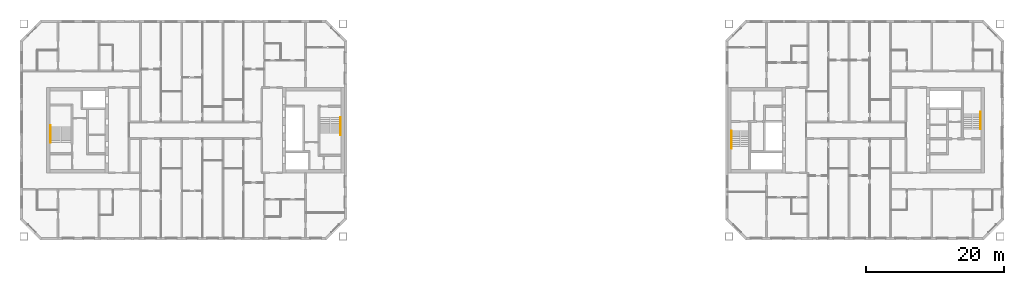
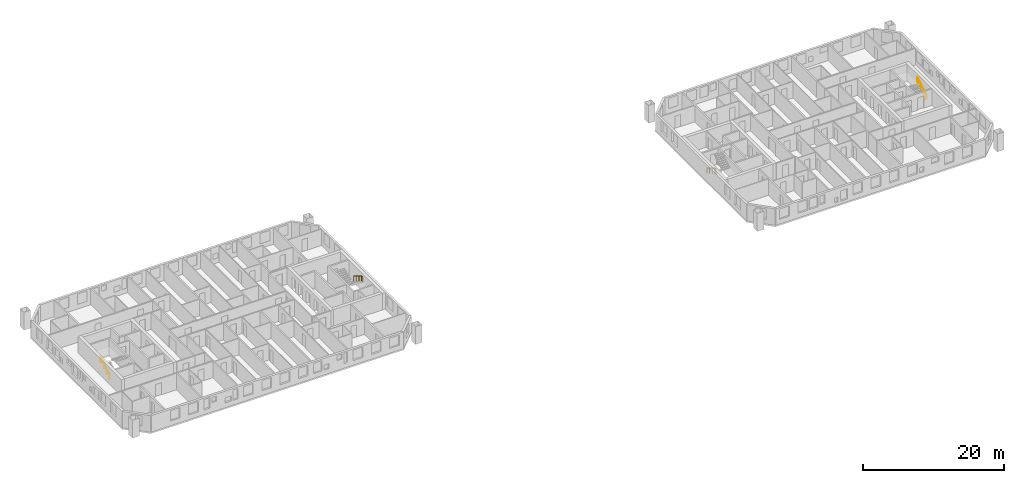
# One storey, part 16 of 16: 4 railings.
"""IFC4 building model written with IfcOpenShell, lengths in metres."""

from ifc_helpers import new_model, si_unit, direction, frame, origin, origin_2d, place, context, subcontext, project, spatial, circle, extrude, material, type_object, element, save


model = new_model("IFC4")

# Units and contexts
model_context = context("Model", 3, precision=1e-05, world=origin(), true_north=direction((0.0, 1.0)))
body_context = subcontext(model_context, "Body", "Model", "MODEL_VIEW")
ifc_project = project(units=[si_unit("LENGTHUNIT", "METRE"), si_unit("AREAUNIT", "SQUARE_METRE"), si_unit("VOLUMEUNIT", "CUBIC_METRE"), si_unit("PLANEANGLEUNIT", "RADIAN"), si_unit("MASSUNIT", "GRAM", prefix="KILO")], contexts=[model_context])

# Site, building, storey
site_placement = place(None, origin())
site = spatial("IfcSite", under=ifc_project, at=site_placement, CompositionType="ELEMENT")
building_placement = place(site_placement, origin())
building = spatial("IfcBuilding", under=site, at=building_placement, Name="Tuart Gate Housing", CompositionType="ELEMENT")
storey_placement = place(building_placement, frame((0.0, 0.0, 157.800048828125)))
storey = spatial("IfcBuildingStorey", under=building, at=storey_placement, Name="L44", CompositionType="ELEMENT", Elevation=157.800048828125)

# Railings
ifc_material = material(Name="Stainless steel", Category="steel")
railing_type = type_object("IfcRailingType", Name="Stair handrail 900", PredefinedType="HANDRAIL", material=ifc_material)
railing_1_placement = place(storey_placement, frame((75.080078125, 71.824951171875, 0.172119140625)))
element("IfcRailing", 1, at=railing_1_placement, inside=storey, type_object=railing_type, Name="Stair handrail SA1.1", PredefinedType="HANDRAIL", context=body_context, shape_type="SweptSolid", body=[
    extrude(circle(Radius=0.02392578125, at=origin_2d()), frame((0.0, 0.0, 0.8759765625), z_axis=(0.0, -0.851747552033, 0.523952390591), x_axis=(1.0, 0.0, 0.0)), (0.0, 0.0, 1.0), 2.6298828125),
    extrude(circle(Radius=0.02392578125, at=origin_2d()), frame((0.0, -2.239990234375, 2.25390625), z_axis=(0.0, -1.0, 0.0), x_axis=(1.0, 0.0, 0.0)), (0.0, 0.0, 1.0), 0.300048828125),
    extrude(circle(Radius=0.02099609375, at=origin_2d()), origin(), (0.0, 0.0, 1.0), 0.851806640625),
    extrude(circle(Radius=0.02099609375, at=origin_2d()), frame((0.0, -0.74658203125, 0.459228515625)), (0.0, 0.0, 1.0), 0.851806640625),
    extrude(circle(Radius=0.02099609375, at=origin_2d()), frame((0.0, -1.493408203125, 0.918701171875)), (0.0, 0.0, 1.0), 0.851806640625),
    extrude(circle(Radius=0.02099609375, at=origin_2d()), frame((0.0, -2.239990234375, 1.3779296875)), (0.0, 0.0, 1.0), 0.851806640625),
    extrude(circle(Radius=0.02099609375, at=origin_2d()), frame((0.0, -2.5400390625, 1.3779296875)), (0.0, 0.0, 1.0), 0.851806640625),
])
railing_2_placement = place(storey_placement, frame((32.919921875, 68.175048828125, 0.172119140625)))
element("IfcRailing", 2, at=railing_2_placement, inside=storey, type_object=railing_type, Name="Stair handrail SA2.1", PredefinedType="HANDRAIL", context=body_context, shape_type="SweptSolid", body=[
    extrude(circle(Radius=0.02392578125, at=origin_2d()), frame((0.0, 0.0, 0.8759765625), z_axis=(0.0, 0.851747552033, 0.523952390591), x_axis=(-1.0, 0.0, 0.0)), (0.0, 0.0, 1.0), 2.6298828125),
    extrude(circle(Radius=0.02392578125, at=origin_2d()), frame((0.0, 2.239990234375, 2.25390625), z_axis=(0.0, 1.0, 0.0), x_axis=(-1.0, 0.0, 0.0)), (0.0, 0.0, 1.0), 0.300048828125),
    extrude(circle(Radius=0.02099609375, at=origin_2d()), origin(), (0.0, 0.0, 1.0), 0.851806640625),
    extrude(circle(Radius=0.02099609375, at=origin_2d()), frame((0.0, 0.74658203125, 0.459228515625)), (0.0, 0.0, 1.0), 0.851806640625),
    extrude(circle(Radius=0.02099609375, at=origin_2d()), frame((0.0, 1.493408203125, 0.918701171875)), (0.0, 0.0, 1.0), 0.851806640625),
    extrude(circle(Radius=0.02099609375, at=origin_2d()), frame((0.0, 2.239990234375, 1.3779296875)), (0.0, 0.0, 1.0), 0.851806640625),
    extrude(circle(Radius=0.02099609375, at=origin_2d()), frame((0.0, 2.5400390625, 1.3779296875)), (0.0, 0.0, 1.0), 0.851806640625),
])
railing_3_placement = place(storey_placement, frame((131.919921875, 69.875, 0.172119140625)))
element("IfcRailing", 3, at=railing_3_placement, inside=storey, type_object=railing_type, Name="Stair handrail SB1.1", PredefinedType="HANDRAIL", context=body_context, shape_type="SweptSolid", body=[
    extrude(circle(Radius=0.02392578125, at=origin_2d()), frame((0.0, 0.0, 0.8759765625), z_axis=(0.0, -0.851747552033, 0.523952390591), x_axis=(1.0, 0.0, 0.0)), (0.0, 0.0, 1.0), 2.6298828125),
    extrude(circle(Radius=0.02392578125, at=origin_2d()), frame((0.0, -2.239990234375, 2.25390625), z_axis=(0.0, -1.0, 0.0), x_axis=(1.0, 0.0, 0.0)), (0.0, 0.0, 1.0), 0.300048828125),
    extrude(circle(Radius=0.02099609375, at=origin_2d()), origin(), (0.0, 0.0, 1.0), 0.851806640625),
    extrude(circle(Radius=0.02099609375, at=origin_2d()), frame((0.0, -0.74658203125, 0.459228515625)), (0.0, 0.0, 1.0), 0.851806640625),
    extrude(circle(Radius=0.02099609375, at=origin_2d()), frame((0.0, -1.493408203125, 0.918701171875)), (0.0, 0.0, 1.0), 0.851806640625),
    extrude(circle(Radius=0.02099609375, at=origin_2d()), frame((0.0, -2.239990234375, 1.3779296875)), (0.0, 0.0, 1.0), 0.851806640625),
    extrude(circle(Radius=0.02099609375, at=origin_2d()), frame((0.0, -2.5400390625, 1.3779296875)), (0.0, 0.0, 1.0), 0.851806640625),
])
railing_4_placement = place(storey_placement, frame((168.080078125, 70.125, 0.172119140625)))
element("IfcRailing", 4, at=railing_4_placement, inside=storey, type_object=railing_type, Name="Stair handrail SB2.1", PredefinedType="HANDRAIL", context=body_context, shape_type="SweptSolid", body=[
    extrude(circle(Radius=0.02392578125, at=origin_2d()), frame((0.0, 0.0, 0.8759765625), z_axis=(0.0, 0.851747552033, 0.523952390591), x_axis=(-1.0, 0.0, 0.0)), (0.0, 0.0, 1.0), 2.6298828125),
    extrude(circle(Radius=0.02392578125, at=origin_2d()), frame((0.0, 2.239990234375, 2.25390625), z_axis=(0.0, 1.0, 0.0), x_axis=(-1.0, 0.0, 0.0)), (0.0, 0.0, 1.0), 0.300048828125),
    extrude(circle(Radius=0.02099609375, at=origin_2d()), origin(), (0.0, 0.0, 1.0), 0.851806640625),
    extrude(circle(Radius=0.02099609375, at=origin_2d()), frame((0.0, 0.74658203125, 0.459228515625)), (0.0, 0.0, 1.0), 0.851806640625),
    extrude(circle(Radius=0.02099609375, at=origin_2d()), frame((0.0, 1.493408203125, 0.918701171875)), (0.0, 0.0, 1.0), 0.851806640625),
    extrude(circle(Radius=0.02099609375, at=origin_2d()), frame((0.0, 2.239990234375, 1.3779296875)), (0.0, 0.0, 1.0), 0.851806640625),
    extrude(circle(Radius=0.02099609375, at=origin_2d()), frame((0.0, 2.5400390625, 1.3779296875)), (0.0, 0.0, 1.0), 0.851806640625),
])

save(model, "model.ifc")
